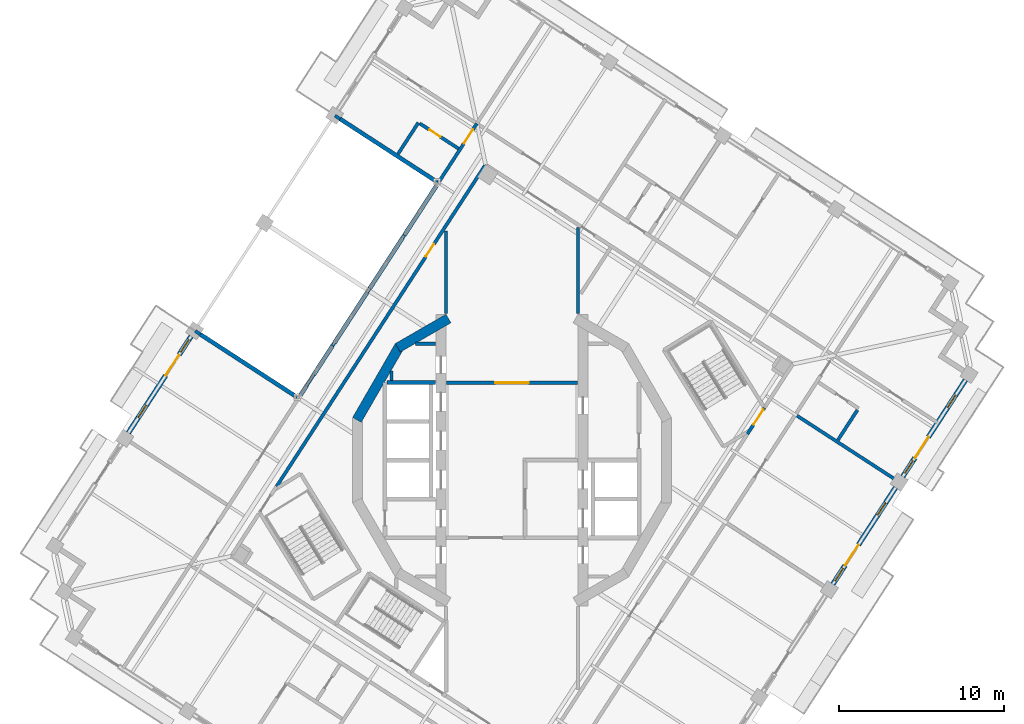
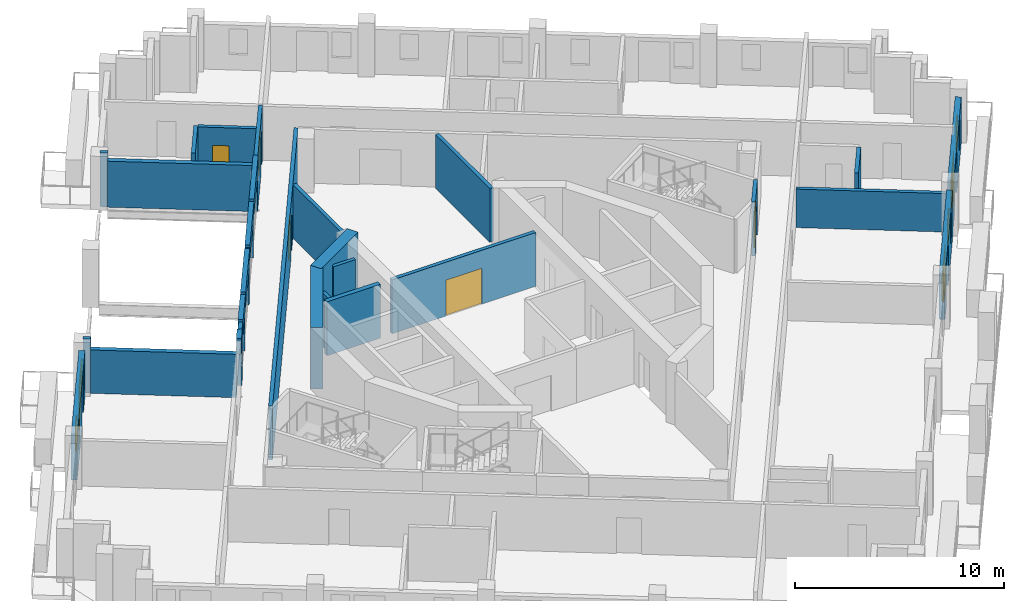
# One storey, part 8 of 17: 31 walls, 8 doors, 6 windows, 14 openings.
"""IFC4 building model written with IfcOpenShell, lengths in metres."""

import ifcopenshell
import ifcopenshell.guid

model = None  # the IFC model being written
_history = None  # IfcOwnerHistory: only IFC2X3 demands one
_inside = {}  # id of a spatial element -> (the spatial element, [elements in it])
_under = {}  # id of a project, library or spatial element -> (it, [spatial elements below it])
_declared = {}  # id of a project -> (the project, [libraries it declares])
_typed = {}  # id of a type object -> (the type object, [elements of that type])
_made_of = {}  # id of a material, layer set ... -> (it, [elements and type objects made of it])


def new_model(schema):
    """Start an empty IFC model of exactly this schema.

    Asked for "IFC4X3", IfcOpenShell would pick the latest addendum, in which some entities
    have other attributes; the version numbers below select the first issue.
    IFC2X3 requires an IfcOwnerHistory on every rooted entity: one is made here for all.
    """
    global model, _history
    if schema == "IFC4X3":
        model = ifcopenshell.file(schema_version=(4, 3, 0, 0))
    else:
        model = ifcopenshell.file(schema=schema)
    _inside.clear()
    _under.clear()
    _declared.clear()
    _typed.clear()
    _made_of.clear()
    _history = None
    if model.schema == "IFC2X3":
        org = make("IfcOrganization", Name="unknown")
        user = make(
            "IfcPersonAndOrganization",
            ThePerson=make("IfcPerson", FamilyName="unknown"),
            TheOrganization=org,
        )
        app = make(
            "IfcApplication",
            ApplicationDeveloper=org,
            Version="unknown",
            ApplicationFullName="unknown",
            ApplicationIdentifier="unknown",
        )
        _history = make(
            "IfcOwnerHistory",
            OwningUser=user,
            OwningApplication=app,
            ChangeAction="ADDED",
            CreationDate=0,
        )
    return model


def make(cls, **values):
    """One entity of the class cls with the attributes given. An attribute that is None is left unset."""
    return model.create_entity(
        cls, **{name: value for name, value in values.items() if value is not None}
    )


def rooted(cls, **values):
    """An entity with a GlobalId (a new one), such as an element, a storey or a relation."""
    return make(cls, GlobalId=ifcopenshell.guid.new(), OwnerHistory=_history, **values)


def si_unit(unit_type, name, prefix=None):
    """IfcSIUnit, for example si_unit("LENGTHUNIT", "METRE", prefix="MILLI")."""
    return make("IfcSIUnit", UnitType=unit_type, Prefix=prefix, Name=name)


def assignment(units):
    """IfcUnitAssignment: the units of a project."""
    return None if units is None else make("IfcUnitAssignment", Units=units)


def point(xyz):
    """IfcCartesianPoint."""
    return None if xyz is None else make("IfcCartesianPoint", Coordinates=xyz)


def direction(xyz):
    """IfcDirection."""
    return None if xyz is None else make("IfcDirection", DirectionRatios=xyz)


def frame(location, z_axis=None, x_axis=None):
    """IfcAxis2Placement3D, a coordinate frame: its origin and axes. An axis left out is left unset."""
    return make(
        "IfcAxis2Placement3D",
        Location=point(location),
        Axis=direction(z_axis),
        RefDirection=direction(x_axis),
    )


def frame_2d(location, x_axis=None):
    """IfcAxis2Placement2D, a coordinate frame in the plane: its origin and x axis."""
    return make(
        "IfcAxis2Placement2D", Location=point(location), RefDirection=direction(x_axis)
    )


def origin():
    """The frame at (0, 0, 0) with its axes left unset."""
    return frame((0.0, 0.0, 0.0))


def place(relative_to, where):
    """IfcLocalPlacement: puts the frame where relative to a parent placement (None: the world)."""
    return make(
        "IfcLocalPlacement", PlacementRelTo=relative_to, RelativePlacement=where
    )


def context(
    kind, dimensions, precision=None, world=None, true_north=None, identifier=None
):
    """IfcGeometricRepresentationContext, for example the 3D "Model" context."""
    return make(
        "IfcGeometricRepresentationContext",
        ContextIdentifier=identifier,
        ContextType=kind,
        CoordinateSpaceDimension=dimensions,
        Precision=precision,
        WorldCoordinateSystem=world,
        TrueNorth=true_north,
    )


def subcontext(parent, identifier, kind, view, scale=None):
    """IfcGeometricRepresentationSubContext, for example "Body" below "Model"."""
    return make(
        "IfcGeometricRepresentationSubContext",
        ContextIdentifier=identifier,
        ContextType=kind,
        ParentContext=parent,
        TargetScale=scale,
        TargetView=view,
    )


def project(units=None, contexts=None):
    """IfcProject with its units and contexts."""
    return rooted(
        "IfcProject",
        Name="project",
        RepresentationContexts=contexts,
        UnitsInContext=assignment(units),
    )


def spatial(cls, under=None, at=None, **own):
    """A site, building, storey or space (cls), placed at a placement, below another one or the project."""
    s = rooted(cls, ObjectPlacement=at, **own)
    if under is not None:
        _under.setdefault(under.id(), (under, []))[1].append(s)
    return s


def profile(cls, at=None, kind="AREA", **sizes):
    """A parametric profile (cls). Its sizes go by their IFC names, for example OverallWidth=200.0."""
    return make(cls, ProfileType=kind, Position=at, **sizes)


def rectangle(**sizes):
    """IfcRectangleProfileDef."""
    return profile("IfcRectangleProfileDef", **sizes)


def extrude(swept, where, along, depth):
    """IfcExtrudedAreaSolid: the profile swept, set in the frame where, extruded along a direction by depth."""
    return make(
        "IfcExtrudedAreaSolid",
        SweptArea=swept,
        Position=where,
        ExtrudedDirection=direction(along),
        Depth=depth,
    )


def shape(context_of_items, identifier, shape_type, items):
    """IfcShapeRepresentation: the items that make up one representation, for example the "Body"."""
    return make(
        "IfcShapeRepresentation",
        ContextOfItems=context_of_items,
        RepresentationIdentifier=identifier,
        RepresentationType=shape_type,
        Items=items,
    )


def material(Name=None, Category=None):
    """IfcMaterial."""
    return make("IfcMaterial", Name=Name, Category=Category)


def layer(
    of_material, thickness, ventilated=None, Name=None, Category=None, Priority=None
):
    """IfcMaterialLayer: one layer of a wall or slab, of a material (None: an air gap)."""
    return make(
        "IfcMaterialLayer",
        Material=of_material,
        LayerThickness=thickness,
        IsVentilated=ventilated,
        Name=Name,
        Category=Category,
        Priority=Priority,
    )


def layer_set(layers, Name=None):
    """IfcMaterialLayerSet."""
    return make("IfcMaterialLayerSet", MaterialLayers=layers, LayerSetName=Name)


def made_of(thing, what):
    """Note that an element or type object is made of a material, layer set ...; save() writes the relation."""
    if what is not None:
        _made_of.setdefault(what.id(), (what, []))[1].append(thing)
    return thing


def type_object(cls, material=None, **own):
    """A type object (cls), such as IfcWallType, which elements share."""
    return made_of(rooted(cls, **own), material)


def element(
    cls,
    number,
    at=None,
    inside=None,
    cuts=None,
    type_object=None,
    material=None,
    context=None,
    identifier="Body",
    shape_type=None,
    held_by="IfcProductDefinitionShape",
    body=None,
    shapes=None,
    **own,
):
    """One element of the class cls, such as IfcWall. Its Tag is "e" and its number.

    at: its placement. inside: the storey or other place that contains it. cuts: it is an
    opening in that element (IfcRelVoidsElement). A single representation is given by context,
    identifier, shape_type and body (its items); several are given by shapes. held_by: the class
    of the entity that holds the representations. save() writes the other relations.
    """
    e = rooted(cls, Tag="e%d" % number, ObjectPlacement=at, **own)
    if body is not None:
        shapes = [shape(context, identifier, shape_type, body)]
    if shapes is not None:
        e.Representation = make(held_by, Representations=shapes)
    if inside is not None:
        _inside.setdefault(inside.id(), (inside, []))[1].append(e)
    if cuts is not None:
        rooted(
            "IfcRelVoidsElement", RelatingBuildingElement=cuts, RelatedOpeningElement=e
        )
    if type_object is not None:
        _typed.setdefault(type_object.id(), (type_object, []))[1].append(e)
    return made_of(e, material)


def fill(opening, filler):
    """IfcRelFillsElement: the door or window that sits in an opening."""
    return rooted(
        "IfcRelFillsElement",
        RelatingOpeningElement=opening,
        RelatedBuildingElement=filler,
    )


def aggregate(whole, parts):
    """IfcRelAggregates: a whole, such as a stair, and the parts it consists of."""
    return rooted("IfcRelAggregates", RelatingObject=whole, RelatedObjects=parts)


def save(model, path):
    """Write the relations noted so far, then the file.

    IfcRelAggregates (storeys below a building ...), IfcRelContainedInSpatialStructure (elements
    in a storey), IfcRelDefinesByType, IfcRelAssociatesMaterial and IfcRelDeclares: one each for
    every whole, place, type object, material and project.
    """
    for whole, parts in _under.values():
        aggregate(whole, parts)
    for where, things in _inside.values():
        rooted(
            "IfcRelContainedInSpatialStructure",
            RelatedElements=things,
            RelatingStructure=where,
        )
    for kind, things in _typed.values():
        rooted("IfcRelDefinesByType", RelatedObjects=things, RelatingType=kind)
    for what, things in _made_of.values():
        rooted("IfcRelAssociatesMaterial", RelatedObjects=things, RelatingMaterial=what)
    for by, libraries in _declared.values():
        rooted("IfcRelDeclares", RelatingContext=by, RelatedDefinitions=libraries)
    model.write(path)


model = new_model("IFC4")

# Units and contexts
model_context = context("Model", 3, precision=1e-05, world=origin(), true_north=direction((0.0, 1.0)))
body_context = subcontext(model_context, "Body", "Model", "MODEL_VIEW")
ifc_project = project(units=[si_unit("LENGTHUNIT", "METRE"), si_unit("AREAUNIT", "SQUARE_METRE"), si_unit("VOLUMEUNIT", "CUBIC_METRE"), si_unit("PLANEANGLEUNIT", "RADIAN"), si_unit("MASSUNIT", "GRAM", prefix="KILO")], contexts=[model_context])

# Site, building, storey
site_placement = place(None, origin())
site = spatial("IfcSite", under=ifc_project, at=site_placement, CompositionType="ELEMENT")
building_placement = place(site_placement, origin())
building = spatial("IfcBuilding", under=site, at=building_placement, Name="Cantera Rosa Tower", CompositionType="ELEMENT")
storey_placement = place(building_placement, frame((0.0, 0.0, 286.5)))
storey = spatial("IfcBuildingStorey", under=building, at=storey_placement, Name="L65", CompositionType="ELEMENT", Elevation=286.5)

# Wall
ifc_material_1 = material(Name="Gypsum board partition")
ifc_layer_1 = layer(ifc_material_1, 0.199951171875)
ifc_layer_set_1 = layer_set([ifc_layer_1], Name="CORRIDOR WALL 200 H3150")
wall_type_1 = type_object("IfcWallType", Name="CORRIDOR WALL 200 H3150", PredefinedType="PARTITIONING", material=ifc_layer_set_1)
wall_1_placement = place(storey_placement, frame((-4.0, 13.90087890625, 0.0), z_axis=(0.0, 0.0, 1.0), x_axis=(0.0, -1.0, 0.0)))
element("IfcWall", 1, at=wall_1_placement, inside=storey, type_object=wall_type_1, Name="CORRIDOR WALL L65-040", PredefinedType="PARTITIONING", context=body_context, shape_type="SweptSolid", body=[
    extrude(rectangle(XDim=5.02197265625, YDim=0.199951171875, at=frame_2d((2.510986328125, 0.0))), origin(), (0.0, 0.0, 1.0), 3.14990234375),
])

# Wall, opening, door
wall_2_placement = place(storey_placement, frame((-3.969970703125, 4.699951171875, 0.0), z_axis=(0.0, 0.0, 1.0), x_axis=(1.0, 0.0, 0.0)))
wall_2 = element("IfcWall", 2, at=wall_2_placement, inside=storey, type_object=wall_type_1, Name="CORRIDOR WALL L65-041", PredefinedType="PARTITIONING", context=body_context, shape_type="SweptSolid", body=[
    extrude(rectangle(XDim=7.93994140625, YDim=0.199951171875, at=frame_2d((3.969970703125, 0.0))), origin(), (0.0, 0.0, 1.0), 3.14990234375),
])
opening_1_placement = place(wall_2_placement, frame((2.969970703125, 0.0, 0.0)))
opening_1 = element("IfcOpeningElement", 3, at=opening_1_placement, cuts=wall_2, Name="Opening L65-009", PredefinedType="OPENING", context=body_context, shape_type="SweptSolid", body=[
    extrude(rectangle(XDim=2.0, YDim=2.10009765625, at=frame_2d((1.0, 1.050048828125))), frame((0.0, 0.10986328125, 0.0), z_axis=(0.0, -1.0, 0.0), x_axis=(1.0, 0.0, 0.0)), (0.0, 0.0, 1.0), 0.219970703125),
])
ifc_material_2 = material(Name="Steel S355J2 (EN 10025-2)", Category="steel")
door_type_1 = type_object("IfcDoorType", Name="LOBBY SCREEN DOOR 2000x2100", OperationType="NOTDEFINED", PredefinedType="DOOR", material=ifc_material_2)
door_1_placement = place(opening_1_placement, origin())
door_1 = element("IfcDoor", 4, at=door_1_placement, inside=storey, type_object=door_type_1, Name="DOOR L65-009", OperationType="NOTDEFINED", OverallHeight=2.10009765625, OverallWidth=2.0, PredefinedType="DOOR", context=body_context, shape_type="SweptSolid", body=[
    extrude(rectangle(XDim=2.0, YDim=2.10009765625, at=frame_2d((1.0, 1.050048828125))), frame((0.0, 0.02490234375, 0.0), z_axis=(0.0, -1.0, 0.0), x_axis=(1.0, 0.0, 0.0)), (0.0, 0.0, 1.0), 0.050048828125),
])
fill(opening_1, door_1)

wall_3_placement = place(storey_placement, frame((-2.1318359375, 20.402587890625, 0.0), z_axis=(0.0, 0.0, 1.0), x_axis=(-0.544645439903, -0.838666408528, 0.0)))
wall_3 = element("IfcWall", 5, at=wall_3_placement, inside=storey, type_object=wall_type_1, Name="CORRIDOR WALL L65-042", PredefinedType="PARTITIONING", context=body_context, shape_type="SweptSolid", body=[
    extrude(rectangle(XDim=4.405029296875, YDim=0.199951171875, at=frame_2d((2.20263671875, 0.0))), origin(), (0.0, 0.0, 1.0), 3.14990234375),
])
opening_2_placement = place(wall_3_placement, frame((0.43994140625, 0.0, 0.0)))
opening_2 = element("IfcOpeningElement", 6, at=opening_2_placement, cuts=wall_3, Name="Opening L65-025", PredefinedType="OPENING", context=body_context, shape_type="SweptSolid", body=[
    extrude(rectangle(XDim=1.0, YDim=2.10009765625, at=frame_2d((0.5, 1.050048828125))), frame((0.0, 0.10986328125, 0.0), z_axis=(0.0, -1.0, 0.0), x_axis=(1.0, 0.0, 0.0)), (0.0, 0.0, 1.0), 0.219970703125),
])
ifc_material_3 = material(Name="Timber door leaf", Category="wood")
door_type_2 = type_object("IfcDoorType", Name="ENTRANCE DOOR 1000x2100", OperationType="NOTDEFINED", PredefinedType="DOOR", material=ifc_material_3)
door_2_placement = place(opening_2_placement, origin())
door_2 = element("IfcDoor", 7, at=door_2_placement, inside=storey, type_object=door_type_2, Name="DOOR L65-025", OperationType="NOTDEFINED", OverallHeight=2.10009765625, OverallWidth=1.0, PredefinedType="DOOR", context=body_context, shape_type="SweptSolid", body=[
    extrude(rectangle(XDim=1.0, YDim=2.10009765625, at=frame_2d((0.5, 1.050048828125))), frame((0.0, 0.02490234375, 0.0), z_axis=(0.0, -1.0, 0.0), x_axis=(1.0, 0.0, 0.0)), (0.0, 0.0, 1.0), 0.050048828125),
])
fill(opening_2, door_2)

# Walls
wall_4_placement = place(storey_placement, frame((-6.522216796875, 13.64208984375, 0.0), z_axis=(0.0, 0.0, 1.0), x_axis=(-0.544318934007, -0.838878357142, 0.0)))
element("IfcWall", 8, at=wall_4_placement, inside=storey, type_object=wall_type_1, Name="CORRIDOR WALL L65-043", PredefinedType="PARTITIONING", context=body_context, shape_type="SweptSolid", body=[
    extrude(rectangle(XDim=0.218017578125, YDim=0.199951171875, at=frame_2d((0.10888671875, 0.0))), origin(), (0.0, 0.0, 1.0), 3.14990234375),
])
wall_5_placement = place(storey_placement, frame((-8.6201171875, 10.41162109375, 0.0), z_axis=(0.0, 0.0, 1.0), x_axis=(-0.5446964617, -0.838633271825, 0.0)))
element("IfcWall", 9, at=wall_5_placement, inside=storey, type_object=wall_type_1, Name="CORRIDOR WALL L65-044", PredefinedType="PARTITIONING", context=body_context, shape_type="SweptSolid", body=[
    extrude(rectangle(XDim=0.2939453125, YDim=0.199951171875, at=frame_2d((0.14697265625, 0.0))), origin(), (0.0, 0.0, 1.0), 3.14990234375),
])
wall_6_placement = place(storey_placement, frame((-10.759521484375, 7.1171875, 0.0), z_axis=(0.0, 0.0, 1.0), x_axis=(-0.544318934007, -0.838878357142, 0.0)))
element("IfcWall", 10, at=wall_6_placement, inside=storey, type_object=wall_type_1, Name="CORRIDOR WALL L65-045", PredefinedType="PARTITIONING", context=body_context, shape_type="SweptSolid", body=[
    extrude(rectangle(XDim=0.218017578125, YDim=0.199951171875, at=frame_2d((0.10888671875, 0.0))), origin(), (0.0, 0.0, 1.0), 3.14990234375),
])
wall_7_placement = place(storey_placement, frame((-12.00830078125, 5.194091796875, 0.0), z_axis=(0.0, 0.0, 1.0), x_axis=(-0.544721805295, -0.83861681049, 0.0)))
element("IfcWall", 11, at=wall_7_placement, inside=storey, type_object=wall_type_1, Name="CORRIDOR WALL L65-046", PredefinedType="PARTITIONING", context=body_context, shape_type="SweptSolid", body=[
    extrude(rectangle(XDim=0.804931640625, YDim=0.199951171875, at=frame_2d((0.40234375, 0.0))), origin(), (0.0, 0.0, 1.0), 3.14990234375),
])

# Wall, opening, door
wall_8_placement = place(storey_placement, frame((-1.6025390625, 17.91259765625, 0.0), z_axis=(0.0, 0.0, 1.0), x_axis=(-0.544642173362, -0.838668529871, 0.0)))
wall_8 = element("IfcWall", 12, at=wall_8_placement, inside=storey, type_object=wall_type_1, Name="CORRIDOR WALL L65-051", PredefinedType="PARTITIONING", context=body_context, shape_type="SweptSolid", body=[
    extrude(rectangle(XDim=23.255126953125, YDim=0.199951171875, at=frame_2d((11.62744140625, 0.0))), origin(), (0.0, 0.0, 1.0), 3.14990234375),
])
opening_3_placement = place(wall_8_placement, frame((5.744140625, 0.0, 0.0)))
opening_3 = element("IfcOpeningElement", 13, at=opening_3_placement, cuts=wall_8, Name="Opening L65-005", PredefinedType="OPENING", context=body_context, shape_type="SweptSolid", body=[
    extrude(rectangle(XDim=0.89990234375, YDim=2.10009765625, at=frame_2d((0.449951171875, 1.050048828125))), frame((0.0, 0.10986328125, 0.0), z_axis=(0.0, -1.0, 0.0), x_axis=(1.0, 0.0, 0.0)), (0.0, 0.0, 1.0), 0.219970703125),
])
ifc_material_4 = material(Name="Timber door leaf", Category="wood")
door_type_3 = type_object("IfcDoorType", Name="SERVICE DOOR 900x2100", OperationType="NOTDEFINED", PredefinedType="DOOR", material=ifc_material_4)
door_3_placement = place(opening_3_placement, origin())
door_3 = element("IfcDoor", 14, at=door_3_placement, inside=storey, type_object=door_type_3, Name="DOOR L65-005", OperationType="NOTDEFINED", OverallHeight=2.10009765625, OverallWidth=0.89990234375, PredefinedType="DOOR", context=body_context, shape_type="SweptSolid", body=[
    extrude(rectangle(XDim=0.89990234375, YDim=2.10009765625, at=frame_2d((0.449951171875, 1.050048828125))), frame((0.0, 0.02490234375, 0.0), z_axis=(0.0, -1.0, 0.0), x_axis=(1.0, 0.0, 0.0)), (0.0, 0.0, 1.0), 0.050048828125),
])
fill(opening_3, door_3)

# Wall
wall_9_placement = place(storey_placement, frame((4.0, 8.87890625, 0.0), z_axis=(0.0, 0.0, 1.0), x_axis=(0.0, 1.0, 0.0)))
element("IfcWall", 15, at=wall_9_placement, inside=storey, type_object=wall_type_1, Name="CORRIDOR WALL L65-060", PredefinedType="PARTITIONING", context=body_context, shape_type="SweptSolid", body=[
    extrude(rectangle(XDim=5.21533203125, YDim=0.199951171875, at=frame_2d((2.607666015625, 0.0))), origin(), (0.0, 0.0, 1.0), 3.14990234375),
])

# Wall, openings, windows, door
ifc_material_5 = material(Name="Hollow clay masonry with cantera stone cladding", Category="masonry")
ifc_layer_2 = layer(ifc_material_5, 0.300048828125)
ifc_layer_set_2 = layer_set([ifc_layer_2], Name="EW-LOGGIA 300 H2690")
wall_type_2 = type_object("IfcWallType", Name="EW-LOGGIA 300 H2690", PredefinedType="SOLIDWALL", material=ifc_layer_set_2)
wall_10_placement = place(storey_placement, frame((-19.4453125, 7.5126953125, 0.0), z_axis=(0.0, 0.0, 1.0), x_axis=(-0.544667428764, -0.838652128146, 0.0)))
wall_10 = element("IfcWall", 16, at=wall_10_placement, inside=storey, type_object=wall_type_2, Name="EN-L65-W10", PredefinedType="SOLIDWALL", context=body_context, shape_type="SweptSolid", body=[
    extrude(rectangle(XDim=6.97998046875, YDim=0.300048828125, at=frame_2d((3.489990234375, 0.0))), origin(), (0.0, 0.0, 1.0), 2.68994140625),
])
opening_4_placement = place(wall_10_placement, frame((0.2451171875, 0.0, 0.89990234375)))
opening_4 = element("IfcOpeningElement", 17, at=opening_4_placement, cuts=wall_10, Name="Opening L65-W16", PredefinedType="OPENING", context=body_context, shape_type="SweptSolid", body=[
    extrude(rectangle(XDim=0.89990234375, YDim=1.5, at=frame_2d((0.449951171875, 0.75))), frame((0.0, 0.159912109375, 0.0), z_axis=(0.0, -1.0, 0.0), x_axis=(1.0, 0.0, 0.0)), (0.0, 0.0, 1.0), 0.320068359375),
])
opening_5_placement = place(wall_10_placement, frame((1.344970703125, 0.0, 0.0)))
opening_5 = element("IfcOpeningElement", 18, at=opening_5_placement, cuts=wall_10, Name="Opening L65-TD17", PredefinedType="OPENING", context=body_context, shape_type="SweptSolid", body=[
    extrude(rectangle(XDim=1.5, YDim=2.39990234375, at=frame_2d((0.75, 1.199951171875))), frame((0.0, 0.159912109375, 0.0), z_axis=(0.0, -1.0, 0.0), x_axis=(1.0, 0.0, 0.0)), (0.0, 0.0, 1.0), 0.320068359375),
])
opening_6_placement = place(wall_10_placement, frame((4.985107421875, 0.0, 0.89990234375)))
opening_6 = element("IfcOpeningElement", 19, at=opening_6_placement, cuts=wall_10, Name="Opening L65-W18", PredefinedType="OPENING", context=body_context, shape_type="SweptSolid", body=[
    extrude(rectangle(XDim=0.89990234375, YDim=1.5, at=frame_2d((0.449951171875, 0.75))), frame((0.0, 0.159912109375, 0.0), z_axis=(0.0, -1.0, 0.0), x_axis=(1.0, 0.0, 0.0)), (0.0, 0.0, 1.0), 0.320068359375),
])
ifc_material_6 = material(Name="Aluminium frame with clear glass", Category="aluminium")
window_type = type_object("IfcWindowType", Name="Residential window 900x1500", PartitioningType="SINGLE_PANEL", PredefinedType="WINDOW", material=ifc_material_6)
window_1_placement = place(opening_4_placement, origin())
window_1 = element("IfcWindow", 20, at=window_1_placement, inside=storey, type_object=window_type, Name="WINDOW L65-W16", OverallHeight=1.5, OverallWidth=0.89990234375, PartitioningType="SINGLE_PANEL", PredefinedType="WINDOW", context=body_context, shape_type="SweptSolid", body=[
    extrude(rectangle(XDim=0.89990234375, YDim=1.5, at=frame_2d((0.449951171875, 0.75))), frame((0.0, 0.030029296875, 0.0), z_axis=(0.0, -1.0, 0.0), x_axis=(1.0, 0.0, 0.0)), (0.0, 0.0, 1.0), 0.06005859375),
])
fill(opening_4, window_1)
window_2_placement = place(opening_6_placement, origin())
window_2 = element("IfcWindow", 21, at=window_2_placement, inside=storey, type_object=window_type, Name="WINDOW L65-W18", OverallHeight=1.5, OverallWidth=0.89990234375, PartitioningType="SINGLE_PANEL", PredefinedType="WINDOW", context=body_context, shape_type="SweptSolid", body=[
    extrude(rectangle(XDim=0.89990234375, YDim=1.5, at=frame_2d((0.449951171875, 0.75))), frame((0.0, 0.030029296875, 0.0), z_axis=(0.0, -1.0, 0.0), x_axis=(1.0, 0.0, 0.0)), (0.0, 0.0, 1.0), 0.06005859375),
])
fill(opening_6, window_2)
ifc_material_7 = material(Name="Aluminium frame with clear glass", Category="aluminium")
door_type_4 = type_object("IfcDoorType", Name="TD-R 1500x2400", OperationType="NOTDEFINED", PredefinedType="DOOR", material=ifc_material_7)
door_4_placement = place(opening_5_placement, origin())
door_4 = element("IfcDoor", 22, at=door_4_placement, inside=storey, type_object=door_type_4, Name="LOGGIA DOOR L65-TD17", OperationType="SLIDING_TO_LEFT", OverallHeight=2.39990234375, OverallWidth=1.5, PredefinedType="DOOR", context=body_context, shape_type="SweptSolid", body=[
    extrude(rectangle(XDim=1.5, YDim=2.39990234375, at=frame_2d((0.75, 1.199951171875))), frame((0.0, 0.02490234375, 0.0), z_axis=(0.0, -1.0, 0.0), x_axis=(1.0, 0.0, 0.0)), (0.0, 0.0, 1.0), 0.050048828125),
])
fill(opening_5, door_4)

wall_11_placement = place(storey_placement, frame((19.4453125, -7.5126953125, 0.0), z_axis=(0.0, 0.0, 1.0), x_axis=(0.544667428764, 0.838652128146, 0.0)))
wall_11 = element("IfcWall", 23, at=wall_11_placement, inside=storey, type_object=wall_type_2, Name="EN-L65-W23", PredefinedType="SOLIDWALL", context=body_context, shape_type="SweptSolid", body=[
    extrude(rectangle(XDim=6.97998046875, YDim=0.300048828125, at=frame_2d((3.489990234375, 0.0))), origin(), (0.0, 0.0, 1.0), 2.68994140625),
])
opening_7_placement = place(wall_11_placement, frame((0.2451171875, 0.0, 0.89990234375)))
opening_7 = element("IfcOpeningElement", 24, at=opening_7_placement, cuts=wall_11, Name="Opening L65-W43", PredefinedType="OPENING", context=body_context, shape_type="SweptSolid", body=[
    extrude(rectangle(XDim=0.89990234375, YDim=1.5, at=frame_2d((0.449951171875, 0.75))), frame((0.0, 0.159912109375, 0.0), z_axis=(0.0, -1.0, 0.0), x_axis=(1.0, 0.0, 0.0)), (0.0, 0.0, 1.0), 0.320068359375),
])
opening_8_placement = place(wall_11_placement, frame((1.344970703125, 0.0, 0.0)))
opening_8 = element("IfcOpeningElement", 25, at=opening_8_placement, cuts=wall_11, Name="Opening L65-TD44", PredefinedType="OPENING", context=body_context, shape_type="SweptSolid", body=[
    extrude(rectangle(XDim=1.5, YDim=2.39990234375, at=frame_2d((0.75, 1.199951171875))), frame((0.0, 0.159912109375, 0.0), z_axis=(0.0, -1.0, 0.0), x_axis=(1.0, 0.0, 0.0)), (0.0, 0.0, 1.0), 0.320068359375),
])
opening_9_placement = place(wall_11_placement, frame((4.985107421875, 0.0, 0.89990234375)))
opening_9 = element("IfcOpeningElement", 26, at=opening_9_placement, cuts=wall_11, Name="Opening L65-W45", PredefinedType="OPENING", context=body_context, shape_type="SweptSolid", body=[
    extrude(rectangle(XDim=0.89990234375, YDim=1.5, at=frame_2d((0.449951171875, 0.75))), frame((0.0, 0.159912109375, 0.0), z_axis=(0.0, -1.0, 0.0), x_axis=(1.0, 0.0, 0.0)), (0.0, 0.0, 1.0), 0.320068359375),
])
window_3_placement = place(opening_7_placement, origin())
window_3 = element("IfcWindow", 27, at=window_3_placement, inside=storey, type_object=window_type, Name="WINDOW L65-W43", OverallHeight=1.5, OverallWidth=0.89990234375, PartitioningType="SINGLE_PANEL", PredefinedType="WINDOW", context=body_context, shape_type="SweptSolid", body=[
    extrude(rectangle(XDim=0.89990234375, YDim=1.5, at=frame_2d((0.449951171875, 0.75))), frame((0.0, 0.030029296875, 0.0), z_axis=(0.0, -1.0, 0.0), x_axis=(1.0, 0.0, 0.0)), (0.0, 0.0, 1.0), 0.06005859375),
])
fill(opening_7, window_3)
window_4_placement = place(opening_9_placement, origin())
window_4 = element("IfcWindow", 28, at=window_4_placement, inside=storey, type_object=window_type, Name="WINDOW L65-W45", OverallHeight=1.5, OverallWidth=0.89990234375, PartitioningType="SINGLE_PANEL", PredefinedType="WINDOW", context=body_context, shape_type="SweptSolid", body=[
    extrude(rectangle(XDim=0.89990234375, YDim=1.5, at=frame_2d((0.449951171875, 0.75))), frame((0.0, 0.030029296875, 0.0), z_axis=(0.0, -1.0, 0.0), x_axis=(1.0, 0.0, 0.0)), (0.0, 0.0, 1.0), 0.06005859375),
])
fill(opening_9, window_4)
door_5_placement = place(opening_8_placement, origin())
door_5 = element("IfcDoor", 29, at=door_5_placement, inside=storey, type_object=door_type_4, Name="LOGGIA DOOR L65-TD44", OperationType="SLIDING_TO_LEFT", OverallHeight=2.39990234375, OverallWidth=1.5, PredefinedType="DOOR", context=body_context, shape_type="SweptSolid", body=[
    extrude(rectangle(XDim=1.5, YDim=2.39990234375, at=frame_2d((0.75, 1.199951171875))), frame((0.0, 0.02490234375, 0.0), z_axis=(0.0, -1.0, 0.0), x_axis=(1.0, 0.0, 0.0)), (0.0, 0.0, 1.0), 0.050048828125),
])
fill(opening_8, door_5)

wall_12_placement = place(storey_placement, frame((23.6826171875, -0.98779296875, 0.0), z_axis=(0.0, 0.0, 1.0), x_axis=(0.544667428764, 0.838652128146, 0.0)))
wall_12 = element("IfcWall", 30, at=wall_12_placement, inside=storey, type_object=wall_type_2, Name="EN-L65-W24", PredefinedType="SOLIDWALL", context=body_context, shape_type="SweptSolid", body=[
    extrude(rectangle(XDim=6.97998046875, YDim=0.300048828125, at=frame_2d((3.489990234375, 0.0))), origin(), (0.0, 0.0, 1.0), 2.68994140625),
])
opening_10_placement = place(wall_12_placement, frame((0.2451171875, 0.0, 0.89990234375)))
opening_10 = element("IfcOpeningElement", 31, at=opening_10_placement, cuts=wall_12, Name="Opening L65-W46", PredefinedType="OPENING", context=body_context, shape_type="SweptSolid", body=[
    extrude(rectangle(XDim=0.89990234375, YDim=1.5, at=frame_2d((0.449951171875, 0.75))), frame((0.0, 0.159912109375, 0.0), z_axis=(0.0, -1.0, 0.0), x_axis=(1.0, 0.0, 0.0)), (0.0, 0.0, 1.0), 0.320068359375),
])
opening_11_placement = place(wall_12_placement, frame((1.344970703125, 0.0, 0.0)))
opening_11 = element("IfcOpeningElement", 32, at=opening_11_placement, cuts=wall_12, Name="Opening L65-TD47", PredefinedType="OPENING", context=body_context, shape_type="SweptSolid", body=[
    extrude(rectangle(XDim=1.5, YDim=2.39990234375, at=frame_2d((0.75, 1.199951171875))), frame((0.0, 0.159912109375, 0.0), z_axis=(0.0, -1.0, 0.0), x_axis=(1.0, 0.0, 0.0)), (0.0, 0.0, 1.0), 0.320068359375),
])
opening_12_placement = place(wall_12_placement, frame((4.985107421875, 0.0, 0.89990234375)))
opening_12 = element("IfcOpeningElement", 33, at=opening_12_placement, cuts=wall_12, Name="Opening L65-W48", PredefinedType="OPENING", context=body_context, shape_type="SweptSolid", body=[
    extrude(rectangle(XDim=0.89990234375, YDim=1.5, at=frame_2d((0.449951171875, 0.75))), frame((0.0, 0.159912109375, 0.0), z_axis=(0.0, -1.0, 0.0), x_axis=(1.0, 0.0, 0.0)), (0.0, 0.0, 1.0), 0.320068359375),
])
window_5_placement = place(opening_10_placement, origin())
window_5 = element("IfcWindow", 34, at=window_5_placement, inside=storey, type_object=window_type, Name="WINDOW L65-W46", OverallHeight=1.5, OverallWidth=0.89990234375, PartitioningType="SINGLE_PANEL", PredefinedType="WINDOW", context=body_context, shape_type="SweptSolid", body=[
    extrude(rectangle(XDim=0.89990234375, YDim=1.5, at=frame_2d((0.449951171875, 0.75))), frame((0.0, 0.030029296875, 0.0), z_axis=(0.0, -1.0, 0.0), x_axis=(1.0, 0.0, 0.0)), (0.0, 0.0, 1.0), 0.06005859375),
])
fill(opening_10, window_5)
window_6_placement = place(opening_12_placement, origin())
window_6 = element("IfcWindow", 35, at=window_6_placement, inside=storey, type_object=window_type, Name="WINDOW L65-W48", OverallHeight=1.5, OverallWidth=0.89990234375, PartitioningType="SINGLE_PANEL", PredefinedType="WINDOW", context=body_context, shape_type="SweptSolid", body=[
    extrude(rectangle(XDim=0.89990234375, YDim=1.5, at=frame_2d((0.449951171875, 0.75))), frame((0.0, 0.030029296875, 0.0), z_axis=(0.0, -1.0, 0.0), x_axis=(1.0, 0.0, 0.0)), (0.0, 0.0, 1.0), 0.06005859375),
])
fill(opening_12, window_6)
door_6_placement = place(opening_11_placement, origin())
door_6 = element("IfcDoor", 36, at=door_6_placement, inside=storey, type_object=door_type_4, Name="LOGGIA DOOR L65-TD47", OperationType="SLIDING_TO_LEFT", OverallHeight=2.39990234375, OverallWidth=1.5, PredefinedType="DOOR", context=body_context, shape_type="SweptSolid", body=[
    extrude(rectangle(XDim=1.5, YDim=2.39990234375, at=frame_2d((0.75, 1.199951171875))), frame((0.0, 0.02490234375, 0.0), z_axis=(0.0, -1.0, 0.0), x_axis=(1.0, 0.0, 0.0)), (0.0, 0.0, 1.0), 0.050048828125),
])
fill(opening_11, door_6)

# Walls
ifc_material_8 = material(Name="Concrete C40/50", Category="concrete")
ifc_layer_3 = layer(ifc_material_8, 0.25)
ifc_layer_set_3 = layer_set([ifc_layer_3], Name="EW-POCKET CHEEK 250 H2535")
wall_type_3 = type_object("IfcWallType", Name="EW-POCKET CHEEK 250 H2535", PredefinedType="SOLIDWALL", material=ifc_layer_set_3)
wall_13_placement = place(storey_placement, frame((-18.89208984375, 7.63037109375, 0.0), z_axis=(0.0, 0.0, 1.0), x_axis=(0.838665071449, -0.544647498784, 0.0)))
element("IfcWall", 37, at=wall_13_placement, inside=storey, type_object=wall_type_3, Name="POCKET CHEEK B L65", PredefinedType="SOLIDWALL", context=body_context, shape_type="SweptSolid", body=[
    extrude(rectangle(XDim=7.0, YDim=0.25, at=frame_2d((3.5, 0.0))), origin(), (0.0, 0.0, 1.0), 2.534912109375),
])
ifc_material_9 = material(Name="Concrete C40/50", Category="concrete")
ifc_layer_4 = layer(ifc_material_9, 0.25)
ifc_layer_set_4 = layer_set([ifc_layer_4], Name="EW-POCKET CHEEK 250 H2690")
wall_type_4 = type_object("IfcWallType", Name="EW-POCKET CHEEK 250 H2690", PredefinedType="SOLIDWALL", material=ifc_layer_set_4)
wall_14_placement = place(storey_placement, frame((-10.41748046875, 20.68017578125, 0.0), z_axis=(0.0, 0.0, 1.0), x_axis=(0.838665071449, -0.544647498784, 0.0)))
element("IfcWall", 38, at=wall_14_placement, inside=storey, type_object=wall_type_4, Name="POCKET CHEEK A L65", PredefinedType="SOLIDWALL", context=body_context, shape_type="SweptSolid", body=[
    extrude(rectangle(XDim=7.0, YDim=0.25, at=frame_2d((3.5, 0.0))), origin(), (0.0, 0.0, 1.0), 2.68994140625),
])
ifc_material_10 = material(Name="Hollow clay masonry with cantera stone cladding", Category="masonry")
ifc_layer_5 = layer(ifc_material_10, 0.25)
ifc_layer_set_5 = layer_set([ifc_layer_5], Name="EW-POCKET REAR 250")
wall_type_5 = type_object("IfcWallType", Name="EW-POCKET REAR 250", PredefinedType="SOLIDWALL", material=ifc_layer_set_5)
wall_15_placement = place(storey_placement, frame((-4.531005859375, 16.708251953125, 2.39208984375), z_axis=(0.0, 0.0, 1.0), x_axis=(-0.54464326402, -0.838667821582, 0.0)))
element("IfcWall", 39, at=wall_15_placement, inside=storey, type_object=wall_type_5, Name="POCKET SPANDREL L65-1", PredefinedType="SOLIDWALL", context=body_context, shape_type="SweptSolid", body=[
    extrude(rectangle(XDim=3.656005859375, YDim=0.25, at=frame_2d((1.828125, 0.0))), origin(), (0.0, 0.0, 1.0), 0.907958984375),
])
for number, where, z_axis, x_axis, name in (
    (40, (-6.640869140625, 13.459228515625, 2.39208984375), (0.0, 0.0, 1.0), (-0.544660064005, -0.838656911185, 0.0), "POCKET SPANDREL L65-2"),
    (41, (-8.7802734375, 10.1650390625, 2.39208984375), (0.0, 0.0, 1.0), (-0.5446293769, -0.838676839919, 0.0), "POCKET SPANDREL L65-3"),
):
    element("IfcWall", number, at=place(storey_placement, frame(where, z_axis=z_axis, x_axis=x_axis)), inside=storey, type_object=wall_type_5, Name=name, PredefinedType="SOLIDWALL", context=body_context, shape_type="SweptSolid", body=[
        extrude(rectangle(XDim=3.634033203125, YDim=0.25, at=frame_2d((1.81689453125, 0.0))), origin(), (0.0, 0.0, 1.0), 0.907958984375),
    ])
wall_16_placement = place(storey_placement, frame((-10.878173828125, 6.934326171875, 2.39208984375), z_axis=(0.0, 0.0, 1.0), x_axis=(-0.544723660614, -0.838615605368, 0.0)))
element("IfcWall", 42, at=wall_16_placement, inside=storey, type_object=wall_type_5, Name="POCKET SPANDREL L65-4", PredefinedType="SOLIDWALL", context=body_context, shape_type="SweptSolid", body=[
    extrude(rectangle(XDim=2.0751953125, YDim=0.25, at=frame_2d((1.03759765625, 0.0))), origin(), (0.0, 0.0, 1.0), 0.907958984375),
])
wall_17_placement = place(storey_placement, frame((-12.44677734375, 4.51904296875, 2.39208984375), z_axis=(0.0, 0.0, 1.0), x_axis=(-0.544568081773, -0.838716641252, 0.0)))
element("IfcWall", 43, at=wall_17_placement, inside=storey, type_object=wall_type_5, Name="POCKET SPANDREL L65-5", PredefinedType="SOLIDWALL", context=body_context, shape_type="SweptSolid", body=[
    extrude(rectangle(XDim=0.776123046875, YDim=0.25, at=frame_2d((0.38818359375, 0.0))), origin(), (0.0, 0.0, 1.0), 0.907958984375),
])
ifc_material_11 = material(Name="Gypsum board partition")
ifc_layer_6 = layer(ifc_material_11, 0.199951171875)
ifc_layer_set_6 = layer_set([ifc_layer_6], Name="PARTITION 200 H3150")
wall_type_6 = type_object("IfcWallType", Name="PARTITION 200 H3150", PredefinedType="PARTITIONING", material=ifc_layer_set_6)
wall_18_placement = place(storey_placement, frame((-19.202392578125, 7.831787109375, 0.0), z_axis=(0.0, 0.0, 1.0), x_axis=(0.838790236691, -0.544454716971, 0.0)))
element("IfcWall", 44, at=wall_18_placement, inside=storey, type_object=wall_type_6, Name="PARTITION L65-003", PredefinedType="PARTITIONING", context=body_context, shape_type="SweptSolid", body=[
    extrude(rectangle(XDim=0.369873046875, YDim=0.199951171875, at=frame_2d((0.18505859375, 0.0))), origin(), (0.0, 0.0, 1.0), 3.14990234375),
])
wall_19_placement = place(storey_placement, frame((-7.300048828125, 4.824951171875, 0.0), z_axis=(0.0, 0.0, 1.0), x_axis=(0.0, 1.0, 0.0)))
element("IfcWall", 45, at=wall_19_placement, inside=storey, type_object=wall_type_6, Name="PARTITION L65-026", PredefinedType="PARTITIONING", context=body_context, shape_type="SweptSolid", body=[
    extrude(rectangle(XDim=0.589599609375, YDim=0.199951171875, at=frame_2d((0.294921875, 0.0))), origin(), (0.0, 0.0, 1.0), 3.14990234375),
])
wall_20_placement = place(storey_placement, frame((-6.905517578125, 18.560302734375, 0.0), z_axis=(0.0, 0.0, 1.0), x_axis=(0.544635965926, 0.838672561027, 0.0)))
element("IfcWall", 46, at=wall_20_placement, inside=storey, type_object=wall_type_6, Name="PARTITION L65-028", PredefinedType="PARTITIONING", context=body_context, shape_type="SweptSolid", body=[
    extrude(rectangle(XDim=2.26513671875, YDim=0.199951171875, at=frame_2d((1.132568359375, 0.0))), origin(), (0.0, 0.0, 1.0), 3.14990234375),
])
wall_21_placement = place(storey_placement, frame((-5.84765625, 7.050048828125, 0.0), z_axis=(0.0, 0.0, 1.0), x_axis=(1.0, 0.0, 0.0)))
element("IfcWall", 47, at=wall_21_placement, inside=storey, type_object=wall_type_6, Name="PARTITION L65-031", PredefinedType="PARTITIONING", context=body_context, shape_type="SweptSolid", body=[
    extrude(rectangle(XDim=1.2177734375, YDim=0.199951171875, at=frame_2d((0.60888671875, 0.0))), origin(), (0.0, 0.0, 1.0), 3.14990234375),
])

# Wall, opening, door
wall_22_placement = place(storey_placement, frame((-5.587890625, 20.405517578125, 0.0), z_axis=(0.0, 0.0, 1.0), x_axis=(0.838656694237, -0.544660398056, 0.0)))
wall_22 = element("IfcWall", 48, at=wall_22_placement, inside=storey, type_object=wall_type_6, Name="PARTITION L65-032", PredefinedType="PARTITIONING", context=body_context, shape_type="SweptSolid", body=[
    extrude(rectangle(XDim=2.80029296875, YDim=0.199951171875, at=frame_2d((1.400146484375, 0.0))), origin(), (0.0, 0.0, 1.0), 3.14990234375),
])
opening_13_placement = place(wall_22_placement, frame((0.699951171875, 0.0, 0.0)))
opening_13 = element("IfcOpeningElement", 49, at=opening_13_placement, cuts=wall_22, Name="Opening L65-026", PredefinedType="OPENING", context=body_context, shape_type="SweptSolid", body=[
    extrude(rectangle(XDim=0.800048828125, YDim=2.10009765625, at=frame_2d((0.39990234375, 1.050048828125))), frame((0.0, 0.10986328125, 0.0), z_axis=(0.0, -1.0, 0.0), x_axis=(1.0, 0.0, 0.0)), (0.0, 0.0, 1.0), 0.219970703125),
])
ifc_material_12 = material(Name="Timber door leaf", Category="wood")
door_type_5 = type_object("IfcDoorType", Name="BATHROOM DOOR 800x2100", OperationType="NOTDEFINED", PredefinedType="DOOR", material=ifc_material_12)
door_7_placement = place(opening_13_placement, origin())
door_7 = element("IfcDoor", 50, at=door_7_placement, inside=storey, type_object=door_type_5, Name="DOOR L65-026", OperationType="NOTDEFINED", OverallHeight=2.10009765625, OverallWidth=0.800048828125, PredefinedType="DOOR", context=body_context, shape_type="SweptSolid", body=[
    extrude(rectangle(XDim=0.800048828125, YDim=2.10009765625, at=frame_2d((0.39990234375, 1.050048828125))), frame((0.0, 0.02490234375, 0.0), z_axis=(0.0, -1.0, 0.0), x_axis=(1.0, 0.0, 0.0)), (0.0, 0.0, 1.0), 0.050048828125),
])
fill(opening_13, door_7)

# Walls
wall_23_placement = place(storey_placement, frame((-10.41748046875, 20.68017578125, 0.0), z_axis=(0.0, 0.0, 1.0), x_axis=(-0.838790236691, 0.544454716971, 0.0)))
element("IfcWall", 51, at=wall_23_placement, inside=storey, type_object=wall_type_6, Name="PARTITION L65-036", PredefinedType="PARTITIONING", context=body_context, shape_type="SweptSolid", body=[
    extrude(rectangle(XDim=0.369873046875, YDim=0.199951171875, at=frame_2d((0.18505859375, 0.0))), origin(), (0.0, 0.0, 1.0), 3.14990234375),
])
wall_24_placement = place(storey_placement, frame((20.9326171875, 3.039794921875, 0.0), z_axis=(0.0, 0.0, 1.0), x_axis=(-0.544670488944, -0.838650140686, 0.0)))
element("IfcWall", 52, at=wall_24_placement, inside=storey, type_object=wall_type_6, Name="PARTITION L65-091", PredefinedType="PARTITIONING", context=body_context, shape_type="SweptSolid", body=[
    extrude(rectangle(XDim=2.16015625, YDim=0.199951171875, at=frame_2d((1.080078125, 0.0))), origin(), (0.0, 0.0, 1.0), 3.14990234375),
])
ifc_material_13 = material(Name="Gypsum board partition")
ifc_layer_7 = layer(ifc_material_13, 0.199951171875)
ifc_layer_set_7 = layer_set([ifc_layer_7], Name="PARTY WALL 200 H2250")
wall_type_7 = type_object("IfcWallType", Name="PARTY WALL 200 H2250", PredefinedType="PARTITIONING", material=ifc_layer_set_7)
wall_25_placement = place(storey_placement, frame((17.275390625, 2.696044921875, 0.0), z_axis=(0.0, 0.0, 1.0), x_axis=(0.838684106336, -0.544618187155, 0.0)))
element("IfcWall", 53, at=wall_25_placement, inside=storey, type_object=wall_type_7, Name="PARTY WALL L65-088", PredefinedType="PARTITIONING", context=body_context, shape_type="SweptSolid", body=[
    extrude(rectangle(XDim=7.349853515625, YDim=0.199951171875, at=frame_2d((3.6748046875, 0.0))), origin(), (0.0, 0.0, 1.0), 2.25),
])
ifc_material_14 = material(Name="Concrete C50/60", Category="concrete")
ifc_layer_8 = layer(ifc_material_14, 0.60009765625)
ifc_layer_set_8 = layer_set([ifc_layer_8], Name="RC CORE WALL 600 C50/60")
wall_type_8 = type_object("IfcWallType", Name="RC CORE WALL 600 C50/60", PredefinedType="SHEAR", material=ifc_layer_set_8)
wall_26_placement = place(storey_placement, frame((-9.3994140625, 2.438232421875, 0.0), z_axis=(0.0, 0.0, 1.0), x_axis=(0.499989188378, 0.866031645787, 0.0)))
element("IfcWall", 54, at=wall_26_placement, inside=storey, type_object=wall_type_8, Name="CW-W4 L65", PredefinedType="SHEAR", context=body_context, shape_type="SweptSolid", body=[
    extrude(rectangle(XDim=5.17626953125, YDim=0.60009765625, at=frame_2d((2.588134765625, 0.0))), origin(), (0.0, 0.0, 1.0), 3.60009765625),
])
wall_27_placement = place(storey_placement, frame((-6.921142578125, 6.811279296875, 0.0), z_axis=(0.0, 0.0, 1.0), x_axis=(0.866039982607, 0.499974747889, 0.0)))
element("IfcWall", 55, at=wall_27_placement, inside=storey, type_object=wall_type_8, Name="CW-W5 L65", PredefinedType="SHEAR", context=body_context, shape_type="SweptSolid", body=[
    extrude(rectangle(XDim=3.546142578125, YDim=0.60009765625, at=frame_2d((1.77294921875, 0.0))), origin(), (0.0, 0.0, 1.0), 3.60009765625),
])
ifc_material_15 = material(Name="Masonry blockwork", Category="masonry")
ifc_layer_9 = layer(ifc_material_15, 0.25)
ifc_layer_set_9 = layer_set([ifc_layer_9], Name="SHAFT WALL 250 H3150")
wall_type_9 = type_object("IfcWallType", Name="SHAFT WALL 250 H3150", PredefinedType="SOLIDWALL", material=ifc_layer_set_9)
wall_28_placement = place(storey_placement, frame((-7.580078125, 4.699951171875, 0.0), z_axis=(0.0, 0.0, 1.0), x_axis=(1.0, 0.0, 0.0)))
element("IfcWall", 56, at=wall_28_placement, inside=storey, type_object=wall_type_9, Name="SHAFT WALL L65-025", PredefinedType="SOLIDWALL", context=body_context, shape_type="SweptSolid", body=[
    extrude(rectangle(XDim=2.9501953125, YDim=0.25, at=frame_2d((1.47509765625, 0.0))), origin(), (0.0, 0.0, 1.0), 3.14990234375),
])

# Wall, opening, door
ifc_material_16 = material(Name="Concrete C50/60", Category="concrete")
ifc_layer_10 = layer(ifc_material_16, 0.199951171875)
ifc_layer_set_10 = layer_set([ifc_layer_10], Name="STAIR WALL 200 H3150")
wall_type_10 = type_object("IfcWallType", Name="STAIR WALL 200 H3150", PredefinedType="SOLIDWALL", material=ifc_layer_set_10)
wall_29_placement = place(storey_placement, frame((14.268310546875, 1.5908203125, 0.0), z_axis=(0.0, 0.0, 1.0), x_axis=(0.544651565877, 0.838662430176, 0.0)))
wall_29 = element("IfcWall", 57, at=wall_29_placement, inside=storey, type_object=wall_type_10, Name="STAIR WALL L65-081", PredefinedType="SOLIDWALL", context=body_context, shape_type="SweptSolid", body=[
    extrude(rectangle(XDim=1.8857421875, YDim=0.199951171875, at=frame_2d((0.94287109375, 0.0))), origin(), (0.0, 0.0, 1.0), 3.14990234375),
])
opening_14_placement = place(wall_29_placement, frame((0.6689453125, 0.0, 0.0)))
opening_14 = element("IfcOpeningElement", 58, at=opening_14_placement, cuts=wall_29, Name="Opening L65-001", PredefinedType="OPENING", context=body_context, shape_type="SweptSolid", body=[
    extrude(rectangle(XDim=1.10009765625, YDim=2.10009765625, at=frame_2d((0.550048828125, 1.050048828125))), frame((0.0, 0.10986328125, 0.0), z_axis=(0.0, -1.0, 0.0), x_axis=(1.0, 0.0, 0.0)), (0.0, 0.0, 1.0), 0.219970703125),
])
ifc_material_17 = material(Name="Steel S355J2 (EN 10025-2)", Category="steel")
door_type_6 = type_object("IfcDoorType", Name="STAIR DOOR 1100x2100", OperationType="NOTDEFINED", PredefinedType="DOOR", material=ifc_material_17)
door_8_placement = place(opening_14_placement, origin())
door_8 = element("IfcDoor", 59, at=door_8_placement, inside=storey, type_object=door_type_6, Name="DOOR L65-001", OperationType="NOTDEFINED", OverallHeight=2.10009765625, OverallWidth=1.10009765625, PredefinedType="DOOR", context=body_context, shape_type="SweptSolid", body=[
    extrude(rectangle(XDim=1.10009765625, YDim=2.10009765625, at=frame_2d((0.550048828125, 1.050048828125))), frame((0.0, 0.02490234375, 0.0), z_axis=(0.0, -1.0, 0.0), x_axis=(1.0, 0.0, 0.0)), (0.0, 0.0, 1.0), 0.050048828125),
])
fill(opening_14, door_8)

save(model, "model.ifc")
